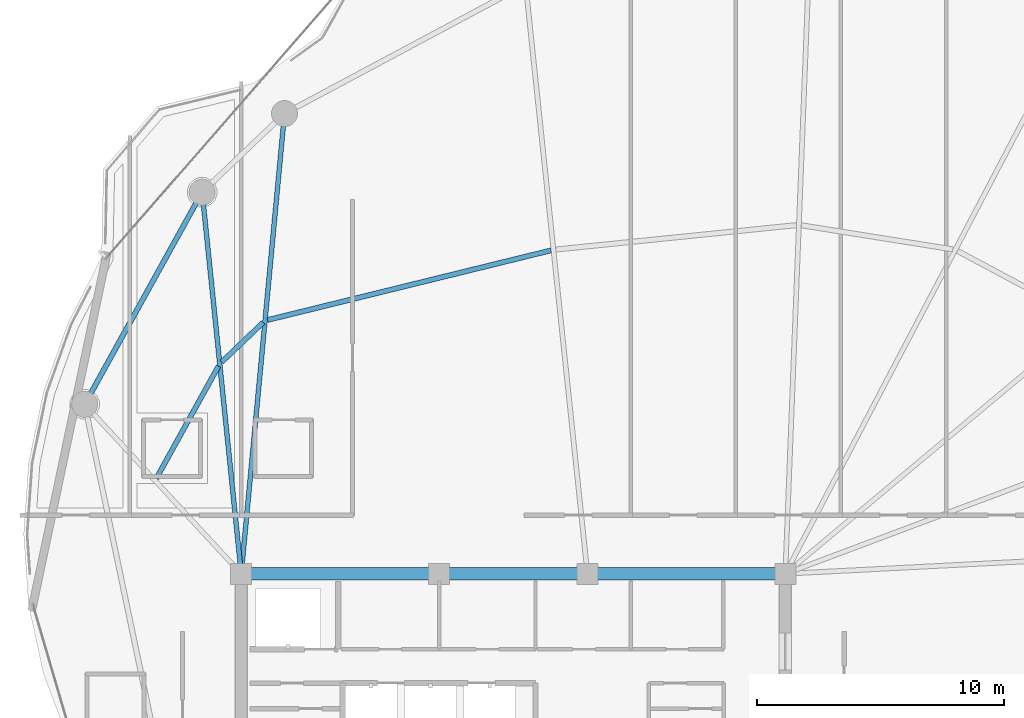
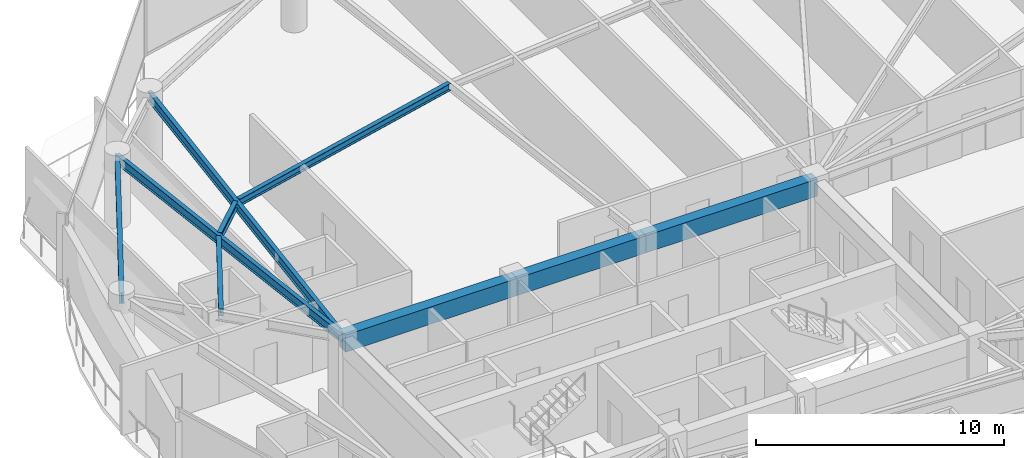
# One storey, part 8 of 29: 9 beams.
"""IFC4 building model written with IfcOpenShell, lengths in metres."""

from ifc_helpers import new_model, si_unit, direction, frame, origin, origin_2d, place, context, subcontext, project, spatial, rectangle, i_section, extrude, material, material_profile, profile_set, type_object, element, save


model = new_model("IFC4")

# Units and contexts
model_context = context("Model", 3, precision=1e-05, world=origin(), true_north=direction((0.0, 1.0)))
body_context = subcontext(model_context, "Body", "Model", "MODEL_VIEW")
ifc_project = project(units=[si_unit("LENGTHUNIT", "METRE"), si_unit("AREAUNIT", "SQUARE_METRE"), si_unit("VOLUMEUNIT", "CUBIC_METRE"), si_unit("PLANEANGLEUNIT", "RADIAN"), si_unit("MASSUNIT", "GRAM", prefix="KILO")], contexts=[model_context])

# Site, building, storey
site_placement = place(None, origin())
site = spatial("IfcSite", under=ifc_project, at=site_placement, CompositionType="ELEMENT")
building_placement = place(site_placement, origin())
building = spatial("IfcBuilding", under=site, at=building_placement, Name="Kazevale Care Tower and Concert Hall", CompositionType="ELEMENT")
storey_placement = place(building_placement, frame((0.0, 0.0, 224.39990234375)))
storey = spatial("IfcBuildingStorey", under=building, at=storey_placement, Name="L59", CompositionType="ELEMENT", Elevation=224.39990234375)

# Beams
ifc_material_1 = material(Name="Concrete C60", Category="concrete")
ifc_material_profile_1 = material_profile(ifc_material_1, rectangle(XDim=0.5, YDim=0.85009765625, at=origin_2d()), Name="RC-B500x850")
ifc_profile_set_1 = profile_set([ifc_material_profile_1], Name="Concrete C60")
beam_type_1 = type_object("IfcBeamType", Name="Core Coupling Beam RC500x850", PredefinedType="LINTEL", material=ifc_profile_set_1)
beam_1_placement = place(storey_placement, frame((44.0, 36.39990234375, 2.93505859375), z_axis=(-1.0, 0.0, 0.0), x_axis=(0.0, -1.0, 0.0)))
element("IfcBeam", 1, at=beam_1_placement, inside=storey, type_object=beam_type_1, Name="beam:L59:coretie:5", PredefinedType="LINTEL", context=body_context, shape_type="SweptSolid", body=[
    extrude(rectangle(XDim=0.5, YDim=0.85009765625, at=origin_2d()), origin(), (0.0, 0.0, 1.0), 8.0),
])
beam_2_placement = place(storey_placement, frame((36.0, 36.39990234375, 2.93505859375), z_axis=(-1.0, 0.0, 0.0), x_axis=(0.0, -1.0, 0.0)))
element("IfcBeam", 2, at=beam_2_placement, inside=storey, type_object=beam_type_1, Name="beam:L59:coretie:6", PredefinedType="LINTEL", context=body_context, shape_type="SweptSolid", body=[
    extrude(rectangle(XDim=0.5, YDim=0.85009765625, at=origin_2d()), origin(), (0.0, 0.0, 1.0), 6.0),
])
beam_3_placement = place(storey_placement, frame((30.0, 36.39990234375, 2.93505859375), z_axis=(-1.0, 0.0, 0.0), x_axis=(0.0, -1.0, 0.0)))
element("IfcBeam", 3, at=beam_3_placement, inside=storey, type_object=beam_type_1, Name="beam:L59:coretie:7", PredefinedType="LINTEL", context=body_context, shape_type="SweptSolid", body=[
    extrude(rectangle(XDim=0.5, YDim=0.85009765625, at=origin_2d()), origin(), (0.0, 0.0, 1.0), 8.0),
])
ifc_material_2 = material(Name="Steel ASTM A572 Gr 50", Category="steel")
ifc_material_profile_2 = material_profile(ifc_material_2, i_section(OverallWidth=0.19091796875, OverallDepth=0.4599609375, WebThickness=0.010009765625, FlangeThickness=0.01611328125, at=origin_2d()), Name="W460x82")
ifc_profile_set_2 = profile_set([ifc_material_profile_2], Name="Steel ASTM A572 Gr 50")
beam_type_2 = type_object("IfcBeamType", Name="Radial Floor Beam W460x82", PredefinedType="BEAM", material=ifc_profile_set_2)
beam_4_placement = place(storey_placement, frame((22.0, 36.39990234375, 3.130126953125), z_axis=(0.093621904075, 0.995607823933, 0.0), x_axis=(-0.995607823933, 0.093621904075, 0.0)))
element("IfcBeam", 4, at=beam_4_placement, inside=storey, type_object=beam_type_2, Name="beam:L59:rad:07", PredefinedType="BEAM", context=body_context, shape_type="SweptSolid", body=[
    extrude(i_section(OverallWidth=0.19091796875, OverallDepth=0.4599609375, WebThickness=0.010009765625, FlangeThickness=0.01611328125, at=origin_2d()), origin(), (0.0, 0.0, 1.0), 18.692138671875),
])
beam_5_placement = place(storey_placement, frame((22.0, 36.39990234375, 3.130126953125), z_axis=(-0.101869109083, 0.994797810922, 0.0), x_axis=(-0.994797810922, -0.101869109083, 0.0)))
element("IfcBeam", 5, at=beam_5_placement, inside=storey, type_object=beam_type_2, Name="beam:L59:rad:08", PredefinedType="BEAM", context=body_context, shape_type="SweptSolid", body=[
    extrude(i_section(OverallWidth=0.19091796875, OverallDepth=0.4599609375, WebThickness=0.010009765625, FlangeThickness=0.01611328125, at=origin_2d()), origin(), (0.0, 0.0, 1.0), 15.510986328125),
])
ifc_material_profile_3 = material_profile(ifc_material_2, i_section(OverallWidth=0.205078125, OverallDepth=0.35400390625, WebThickness=0.009521484375, FlangeThickness=0.016845703125, at=origin_2d()), Name="W360x79")
ifc_profile_set_3 = profile_set([ifc_material_profile_3], Name="Steel ASTM A572 Gr 50")
beam_type_3 = type_object("IfcBeamType", Name="Secondary Floor Joist W360x79", PredefinedType="JOIST", material=ifc_profile_set_3)
beam_6_placement = place(storey_placement, frame((34.52294921875, 49.47607421875, 3.18310546875), z_axis=(-0.971122715177, -0.238580535809, 0.0), x_axis=(0.238580535809, -0.971122715177, 0.0)))
element("IfcBeam", 6, at=beam_6_placement, inside=storey, type_object=beam_type_3, Name="beam:L59:joist:06", PredefinedType="JOIST", context=body_context, shape_type="SweptSolid", body=[
    extrude(i_section(OverallWidth=0.205078125, OverallDepth=0.35400390625, WebThickness=0.009521484375, FlangeThickness=0.016845703125, at=origin_2d()), origin(), (0.0, 0.0, 1.0), 11.7998046875),
])
beam_7_placement = place(storey_placement, frame((22.886962890625, 46.56298828125, 3.18310546875), z_axis=(-0.723262472539, -0.690573237114, 0.0), x_axis=(0.690573237114, -0.723262472539, 0.0)))
element("IfcBeam", 7, at=beam_7_placement, inside=storey, type_object=beam_type_3, Name="beam:L59:joist:07", PredefinedType="JOIST", context=body_context, shape_type="SweptSolid", body=[
    extrude(i_section(OverallWidth=0.205078125, OverallDepth=0.35400390625, WebThickness=0.009521484375, FlangeThickness=0.016845703125, at=origin_2d()), origin(), (0.0, 0.0, 1.0), 2.32275390625),
])
beam_8_placement = place(storey_placement, frame((21.080078125, 44.794921875, 3.18310546875), z_axis=(-0.484322963201, -0.874889288605, 0.0), x_axis=(0.874889288605, -0.484322963201, 0.0)))
element("IfcBeam", 8, at=beam_8_placement, inside=storey, type_object=beam_type_3, Name="beam:L59:joist:08", PredefinedType="JOIST", context=body_context, shape_type="SweptSolid", body=[
    extrude(i_section(OverallWidth=0.205078125, OverallDepth=0.35400390625, WebThickness=0.009521484375, FlangeThickness=0.016845703125, at=origin_2d()), origin(), (0.0, 0.0, 1.0), 5.1845703125),
])
ifc_material_profile_4 = material_profile(ifc_material_2, i_section(OverallWidth=0.208984375, OverallDepth=0.532958984375, WebThickness=0.01025390625, FlangeThickness=0.015625, at=origin_2d()), Name="W530x92")
ifc_profile_set_4 = profile_set([ifc_material_profile_4], Name="Steel ASTM A572 Gr 50")
beam_type_4 = type_object("IfcBeamType", Name="Upper Ring Beam W530x92", PredefinedType="BEAM", material=ifc_profile_set_4)
beam_9_placement = place(storey_placement, frame((20.419921875, 51.830078125, 3.093505859375), z_axis=(-0.484340382014, -0.874879645637, 0.0), x_axis=(0.874879645637, -0.484340382014, 0.0)))
element("IfcBeam", 9, at=beam_9_placement, inside=storey, type_object=beam_type_4, Name="beam:L59:ring:08", PredefinedType="BEAM", context=body_context, shape_type="SweptSolid", body=[
    extrude(i_section(OverallWidth=0.208984375, OverallDepth=0.532958984375, WebThickness=0.01025390625, FlangeThickness=0.015625, at=origin_2d()), origin(), (0.0, 0.0, 1.0), 9.80712890625),
])

save(model, "model.ifc")
